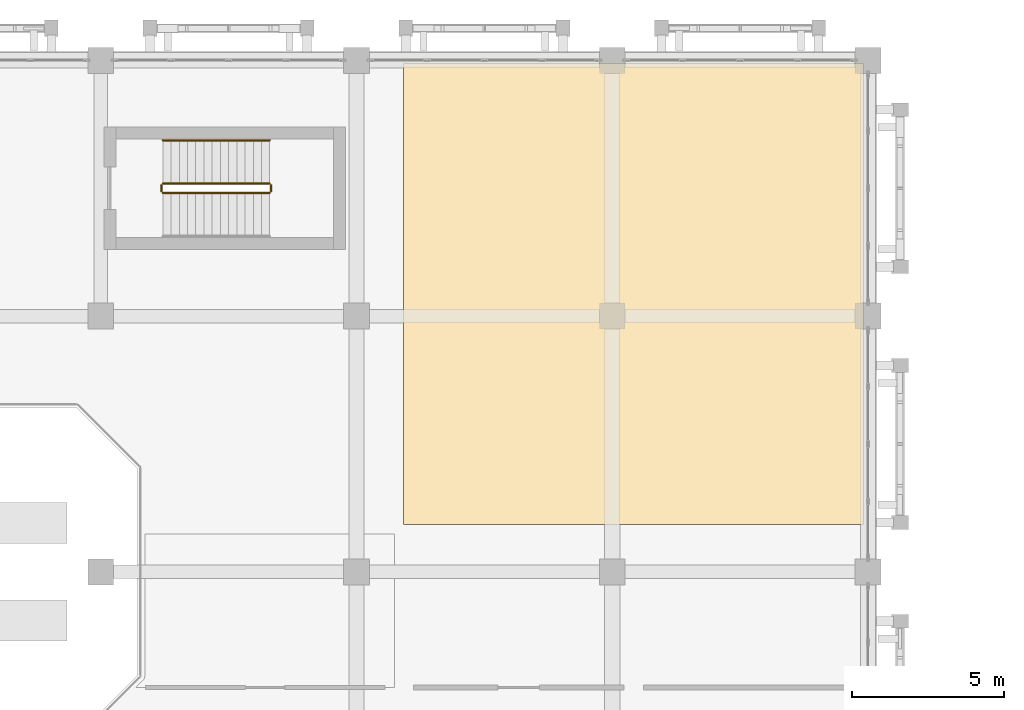
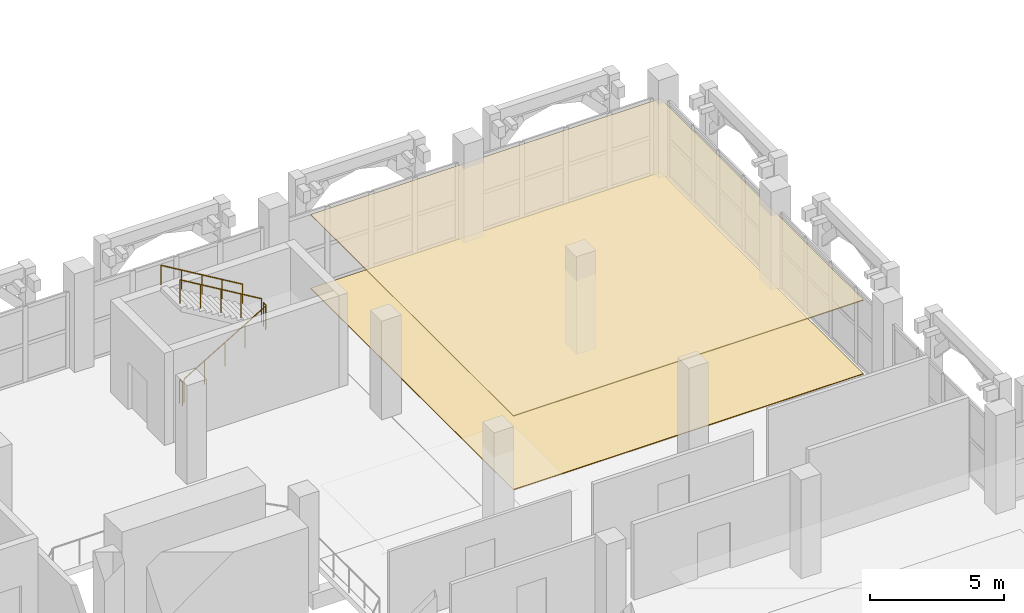
# One storey, part 131 of 137: 5 railings, 2 coverings.
"""IFC4 building model written with IfcOpenShell, lengths in metres."""

import ifcopenshell
import ifcopenshell.guid

model = None  # the IFC model being written
_history = None  # IfcOwnerHistory: only IFC2X3 demands one
_inside = {}  # id of a spatial element -> (the spatial element, [elements in it])
_under = {}  # id of a project, library or spatial element -> (it, [spatial elements below it])
_declared = {}  # id of a project -> (the project, [libraries it declares])
_typed = {}  # id of a type object -> (the type object, [elements of that type])
_made_of = {}  # id of a material, layer set ... -> (it, [elements and type objects made of it])


def new_model(schema):
    """Start an empty IFC model of exactly this schema.

    Asked for "IFC4X3", IfcOpenShell would pick the latest addendum, in which some entities
    have other attributes; the version numbers below select the first issue.
    IFC2X3 requires an IfcOwnerHistory on every rooted entity: one is made here for all.
    """
    global model, _history
    if schema == "IFC4X3":
        model = ifcopenshell.file(schema_version=(4, 3, 0, 0))
    else:
        model = ifcopenshell.file(schema=schema)
    _inside.clear()
    _under.clear()
    _declared.clear()
    _typed.clear()
    _made_of.clear()
    _history = None
    if model.schema == "IFC2X3":
        org = make("IfcOrganization", Name="unknown")
        user = make(
            "IfcPersonAndOrganization",
            ThePerson=make("IfcPerson", FamilyName="unknown"),
            TheOrganization=org,
        )
        app = make(
            "IfcApplication",
            ApplicationDeveloper=org,
            Version="unknown",
            ApplicationFullName="unknown",
            ApplicationIdentifier="unknown",
        )
        _history = make(
            "IfcOwnerHistory",
            OwningUser=user,
            OwningApplication=app,
            ChangeAction="ADDED",
            CreationDate=0,
        )
    return model


def make(cls, **values):
    """One entity of the class cls with the attributes given. An attribute that is None is left unset."""
    return model.create_entity(
        cls, **{name: value for name, value in values.items() if value is not None}
    )


def rooted(cls, **values):
    """An entity with a GlobalId (a new one), such as an element, a storey or a relation."""
    return make(cls, GlobalId=ifcopenshell.guid.new(), OwnerHistory=_history, **values)


def si_unit(unit_type, name, prefix=None):
    """IfcSIUnit, for example si_unit("LENGTHUNIT", "METRE", prefix="MILLI")."""
    return make("IfcSIUnit", UnitType=unit_type, Prefix=prefix, Name=name)


def assignment(units):
    """IfcUnitAssignment: the units of a project."""
    return None if units is None else make("IfcUnitAssignment", Units=units)


def point(xyz):
    """IfcCartesianPoint."""
    return None if xyz is None else make("IfcCartesianPoint", Coordinates=xyz)


def direction(xyz):
    """IfcDirection."""
    return None if xyz is None else make("IfcDirection", DirectionRatios=xyz)


def frame(location, z_axis=None, x_axis=None):
    """IfcAxis2Placement3D, a coordinate frame: its origin and axes. An axis left out is left unset."""
    return make(
        "IfcAxis2Placement3D",
        Location=point(location),
        Axis=direction(z_axis),
        RefDirection=direction(x_axis),
    )


def frame_2d(location, x_axis=None):
    """IfcAxis2Placement2D, a coordinate frame in the plane: its origin and x axis."""
    return make(
        "IfcAxis2Placement2D", Location=point(location), RefDirection=direction(x_axis)
    )


def origin():
    """The frame at (0, 0, 0) with its axes left unset."""
    return frame((0.0, 0.0, 0.0))


def origin_2d():
    """The frame at (0, 0) in the plane with its x axis left unset."""
    return frame_2d((0.0, 0.0))


def place(relative_to, where):
    """IfcLocalPlacement: puts the frame where relative to a parent placement (None: the world)."""
    return make(
        "IfcLocalPlacement", PlacementRelTo=relative_to, RelativePlacement=where
    )


def context(
    kind, dimensions, precision=None, world=None, true_north=None, identifier=None
):
    """IfcGeometricRepresentationContext, for example the 3D "Model" context."""
    return make(
        "IfcGeometricRepresentationContext",
        ContextIdentifier=identifier,
        ContextType=kind,
        CoordinateSpaceDimension=dimensions,
        Precision=precision,
        WorldCoordinateSystem=world,
        TrueNorth=true_north,
    )


def subcontext(parent, identifier, kind, view, scale=None):
    """IfcGeometricRepresentationSubContext, for example "Body" below "Model"."""
    return make(
        "IfcGeometricRepresentationSubContext",
        ContextIdentifier=identifier,
        ContextType=kind,
        ParentContext=parent,
        TargetScale=scale,
        TargetView=view,
    )


def project(units=None, contexts=None):
    """IfcProject with its units and contexts."""
    return rooted(
        "IfcProject",
        Name="project",
        RepresentationContexts=contexts,
        UnitsInContext=assignment(units),
    )


def spatial(cls, under=None, at=None, **own):
    """A site, building, storey or space (cls), placed at a placement, below another one or the project."""
    s = rooted(cls, ObjectPlacement=at, **own)
    if under is not None:
        _under.setdefault(under.id(), (under, []))[1].append(s)
    return s


def polyline(points):
    """IfcPolyline through the points."""
    return make("IfcPolyline", Points=[point(p) for p in points])


def profile(cls, at=None, kind="AREA", **sizes):
    """A parametric profile (cls). Its sizes go by their IFC names, for example OverallWidth=200.0."""
    return make(cls, ProfileType=kind, Position=at, **sizes)


def circle(**sizes):
    """IfcCircleProfileDef."""
    return profile("IfcCircleProfileDef", **sizes)


def outline(outer, holes=None, kind="AREA"):
    """IfcArbitraryClosedProfileDef: a profile drawn as a closed curve; with holes, ...WithVoids."""
    if holes is None:
        return make("IfcArbitraryClosedProfileDef", ProfileType=kind, OuterCurve=outer)
    return make(
        "IfcArbitraryProfileDefWithVoids",
        ProfileType=kind,
        OuterCurve=outer,
        InnerCurves=holes,
    )


def extrude(swept, where, along, depth):
    """IfcExtrudedAreaSolid: the profile swept, set in the frame where, extruded along a direction by depth."""
    return make(
        "IfcExtrudedAreaSolid",
        SweptArea=swept,
        Position=where,
        ExtrudedDirection=direction(along),
        Depth=depth,
    )


def shape(context_of_items, identifier, shape_type, items):
    """IfcShapeRepresentation: the items that make up one representation, for example the "Body"."""
    return make(
        "IfcShapeRepresentation",
        ContextOfItems=context_of_items,
        RepresentationIdentifier=identifier,
        RepresentationType=shape_type,
        Items=items,
    )


def material(Name=None, Category=None):
    """IfcMaterial."""
    return make("IfcMaterial", Name=Name, Category=Category)


def layer(
    of_material, thickness, ventilated=None, Name=None, Category=None, Priority=None
):
    """IfcMaterialLayer: one layer of a wall or slab, of a material (None: an air gap)."""
    return make(
        "IfcMaterialLayer",
        Material=of_material,
        LayerThickness=thickness,
        IsVentilated=ventilated,
        Name=Name,
        Category=Category,
        Priority=Priority,
    )


def layer_set(layers, Name=None):
    """IfcMaterialLayerSet."""
    return make("IfcMaterialLayerSet", MaterialLayers=layers, LayerSetName=Name)


def made_of(thing, what):
    """Note that an element or type object is made of a material, layer set ...; save() writes the relation."""
    if what is not None:
        _made_of.setdefault(what.id(), (what, []))[1].append(thing)
    return thing


def type_object(cls, material=None, **own):
    """A type object (cls), such as IfcWallType, which elements share."""
    return made_of(rooted(cls, **own), material)


def element(
    cls,
    number,
    at=None,
    inside=None,
    cuts=None,
    type_object=None,
    material=None,
    context=None,
    identifier="Body",
    shape_type=None,
    held_by="IfcProductDefinitionShape",
    body=None,
    shapes=None,
    **own,
):
    """One element of the class cls, such as IfcWall. Its Tag is "e" and its number.

    at: its placement. inside: the storey or other place that contains it. cuts: it is an
    opening in that element (IfcRelVoidsElement). A single representation is given by context,
    identifier, shape_type and body (its items); several are given by shapes. held_by: the class
    of the entity that holds the representations. save() writes the other relations.
    """
    e = rooted(cls, Tag="e%d" % number, ObjectPlacement=at, **own)
    if body is not None:
        shapes = [shape(context, identifier, shape_type, body)]
    if shapes is not None:
        e.Representation = make(held_by, Representations=shapes)
    if inside is not None:
        _inside.setdefault(inside.id(), (inside, []))[1].append(e)
    if cuts is not None:
        rooted(
            "IfcRelVoidsElement", RelatingBuildingElement=cuts, RelatedOpeningElement=e
        )
    if type_object is not None:
        _typed.setdefault(type_object.id(), (type_object, []))[1].append(e)
    return made_of(e, material)


def aggregate(whole, parts):
    """IfcRelAggregates: a whole, such as a stair, and the parts it consists of."""
    return rooted("IfcRelAggregates", RelatingObject=whole, RelatedObjects=parts)


def save(model, path):
    """Write the relations noted so far, then the file.

    IfcRelAggregates (storeys below a building ...), IfcRelContainedInSpatialStructure (elements
    in a storey), IfcRelDefinesByType, IfcRelAssociatesMaterial and IfcRelDeclares: one each for
    every whole, place, type object, material and project.
    """
    for whole, parts in _under.values():
        aggregate(whole, parts)
    for where, things in _inside.values():
        rooted(
            "IfcRelContainedInSpatialStructure",
            RelatedElements=things,
            RelatingStructure=where,
        )
    for kind, things in _typed.values():
        rooted("IfcRelDefinesByType", RelatedObjects=things, RelatingType=kind)
    for what, things in _made_of.values():
        rooted("IfcRelAssociatesMaterial", RelatedObjects=things, RelatingMaterial=what)
    for by, libraries in _declared.values():
        rooted("IfcRelDeclares", RelatingContext=by, RelatedDefinitions=libraries)
    model.write(path)


model = new_model("IFC4")

# Units and contexts
model_context = context("Model", 3, precision=1e-05, world=origin(), true_north=direction((0.0, 1.0)))
body_context = subcontext(model_context, "Body", "Model", "MODEL_VIEW")
ifc_project = project(units=[si_unit("LENGTHUNIT", "METRE"), si_unit("AREAUNIT", "SQUARE_METRE"), si_unit("VOLUMEUNIT", "CUBIC_METRE"), si_unit("PLANEANGLEUNIT", "RADIAN"), si_unit("MASSUNIT", "GRAM", prefix="KILO")], contexts=[model_context])

# Site, building, storey
site_placement = place(None, origin())
site = spatial("IfcSite", under=ifc_project, at=site_placement, CompositionType="ELEMENT")
building_placement = place(site_placement, origin())
building = spatial("IfcBuilding", under=site, at=building_placement, Name="Xazarin Passage Department Store", CompositionType="ELEMENT")
storey_placement = place(building_placement, frame((0.0, 0.0, 5.39990234375)))
storey = spatial("IfcBuildingStorey", under=building, at=storey_placement, Name="L01", CompositionType="ELEMENT", Elevation=5.39990234375)

# Coverings
ifc_material_1 = material(Name="Acoustic mineral ceiling")
ifc_layer_1 = layer(ifc_material_1, 0.0400390625)
ifc_layer_set_1 = layer_set([ifc_layer_1], Name="Acoustic mineral ceiling")
covering_type_1 = type_object("IfcCoveringType", Name="ARC-COV-CLG040", PredefinedType="CEILING", material=ifc_layer_set_1)
covering_1_placement = place(storey_placement, frame((0.0, 0.0, 3.360107421875)))
element("IfcCovering", 1, at=covering_1_placement, inside=storey, type_object=covering_type_1, Name="L01 Luxury Leather Showroom Acoustic Ceiling", PredefinedType="CEILING", context=body_context, shape_type="SweptSolid", body=[
    extrude(outline(polyline([(35.14990234375, 94.75), (50.25, 94.75), (50.25, 109.89990234375), (35.14990234375, 109.89990234375), (35.14990234375, 94.75)])), origin(), (0.0, 0.0, 1.0), 0.0400390625),
])
ifc_material_2 = material(Name="Terrazzo stone flooring", Category="masonry")
ifc_layer_2 = layer(ifc_material_2, 0.034912109375)
ifc_layer_set_2 = layer_set([ifc_layer_2], Name="Terrazzo stone flooring")
covering_type_2 = type_object("IfcCoveringType", Name="ARC-COV-FLR035", PredefinedType="FLOORING", material=ifc_layer_set_2)
covering_2_placement = place(storey_placement, origin())
element("IfcCovering", 2, at=covering_2_placement, inside=storey, type_object=covering_type_2, Name="L01 Luxury Leather Showroom Terrazzo Flooring", PredefinedType="FLOORING", context=body_context, shape_type="SweptSolid", body=[
    extrude(outline(polyline([(35.14990234375, 94.75), (50.25, 94.75), (50.25, 109.89990234375), (35.14990234375, 109.89990234375), (35.14990234375, 94.75)])), origin(), (0.0, 0.0, 1.0), 0.03515625),
])

# Railings
ifc_material_3 = material(Name="Steel S355", Category="steel")
railing_type_1 = type_object("IfcRailingType", Name="ARC-RL-GRD112", PredefinedType="GUARDRAIL", material=ifc_material_3)
railing_1_placement = place(storey_placement, frame((27.239990234375, 105.64990234375, 0.160888671875)))
element("IfcRailing", 3, at=railing_1_placement, inside=storey, type_object=railing_type_1, Name="L01 ST2 stair guard 1", PredefinedType="GUARDRAIL", context=body_context, shape_type="SweptSolid", body=[
    extrude(circle(Radius=0.02392578125, at=origin_2d()), frame((0.0, 0.0, 1.076171875), z_axis=(0.859312273368, 0.0, 0.511451284914), x_axis=(0.0, 1.0, 0.0)), (0.0, 0.0, 1.0), 4.084716796875),
    extrude(circle(Radius=0.02099609375, at=origin_2d()), origin(), (0.0, 0.0, 1.0), 1.0517578125),
    extrude(circle(Radius=0.02099609375, at=origin_2d()), frame((0.87744140625, 0.0, 0.522216796875)), (0.0, 0.0, 1.0), 1.0517578125),
    extrude(circle(Radius=0.02099609375, at=origin_2d()), frame((1.7548828125, 0.0, 1.04443359375)), (0.0, 0.0, 1.0), 1.0517578125),
    extrude(circle(Radius=0.02099609375, at=origin_2d()), frame((2.632568359375, 0.0, 1.56689453125)), (0.0, 0.0, 1.0), 1.0517578125),
    extrude(circle(Radius=0.02099609375, at=origin_2d()), frame((3.510009765625, 0.0, 2.089111328125)), (0.0, 0.0, 1.0), 1.0517578125),
])
railing_2_placement = place(storey_placement, frame((30.800048828125, 105.699951171875, 2.25)))
element("IfcRailing", 4, at=railing_2_placement, inside=storey, type_object=railing_type_1, Name="L01 ST2 stair guard 2", PredefinedType="GUARDRAIL", context=body_context, shape_type="SweptSolid", body=[
    extrude(circle(Radius=0.02392578125, at=origin_2d()), frame((0.0, 0.0, 1.076171875), z_axis=(0.0, 1.0, 0.0), x_axis=(-1.0, 0.0, 0.0)), (0.0, 0.0, 1.0), 0.199951171875),
    extrude(circle(Radius=0.02099609375, at=origin_2d()), origin(), (0.0, 0.0, 1.0), 1.0517578125),
    extrude(circle(Radius=0.02099609375, at=origin_2d()), frame((0.0, 0.199951171875, 0.0)), (0.0, 0.0, 1.0), 1.0517578125),
])
railing_3_placement = place(storey_placement, frame((30.75, 105.949951171875, 2.410888671875)))
element("IfcRailing", 5, at=railing_3_placement, inside=storey, type_object=railing_type_1, Name="L01 ST2 stair guard 3", PredefinedType="GUARDRAIL", context=body_context, shape_type="SweptSolid", body=[
    extrude(circle(Radius=0.02392578125, at=origin_2d()), frame((0.0, 0.0, 1.076171875), z_axis=(-0.859312273368, 0.0, 0.511451284914), x_axis=(0.0, -1.0, 0.0)), (0.0, 0.0, 1.0), 4.084716796875),
    extrude(circle(Radius=0.02099609375, at=origin_2d()), origin(), (0.0, 0.0, 1.0), 1.0517578125),
    extrude(circle(Radius=0.02099609375, at=origin_2d()), frame((-0.87744140625, 0.0, 0.522216796875)), (0.0, 0.0, 1.0), 1.0517578125),
    extrude(circle(Radius=0.02099609375, at=origin_2d()), frame((-1.7548828125, 0.0, 1.04443359375)), (0.0, 0.0, 1.0), 1.0517578125),
    extrude(circle(Radius=0.02099609375, at=origin_2d()), frame((-2.632568359375, 0.0, 1.56689453125)), (0.0, 0.0, 1.0), 1.0517578125),
    extrude(circle(Radius=0.02099609375, at=origin_2d()), frame((-3.510009765625, 0.0, 2.089111328125)), (0.0, 0.0, 1.0), 1.0517578125),
])
railing_4_placement = place(storey_placement, frame((27.18994140625, 105.699951171875, 0.0)))
element("IfcRailing", 6, at=railing_4_placement, inside=storey, type_object=railing_type_1, Name="L01 ST2 stair guard 4", PredefinedType="GUARDRAIL", context=body_context, shape_type="SweptSolid", body=[
    extrude(circle(Radius=0.02392578125, at=origin_2d()), frame((0.0, 0.0, 1.076171875), z_axis=(0.0, 1.0, 0.0), x_axis=(-1.0, 0.0, 0.0)), (0.0, 0.0, 1.0), 0.199951171875),
    extrude(circle(Radius=0.02099609375, at=origin_2d()), origin(), (0.0, 0.0, 1.0), 1.0517578125),
    extrude(circle(Radius=0.02099609375, at=origin_2d()), frame((0.0, 0.199951171875, 0.0)), (0.0, 0.0, 1.0), 1.0517578125),
])
railing_type_2 = type_object("IfcRailingType", Name="ARC-RL-HND090", PredefinedType="HANDRAIL", material=ifc_material_3)
railing_5_placement = place(storey_placement, frame((30.75, 107.3701171875, 2.410888671875)))
element("IfcRailing", 7, at=railing_5_placement, inside=storey, type_object=railing_type_2, Name="L01 ST2 stair handrail 2", PredefinedType="HANDRAIL", context=body_context, shape_type="SweptSolid", body=[
    extrude(circle(Radius=0.02392578125, at=origin_2d()), frame((0.0, 0.0, 0.8759765625), z_axis=(-0.859312273368, 0.0, 0.511451284914), x_axis=(0.0, -1.0, 0.0)), (0.0, 0.0, 1.0), 4.084716796875),
    extrude(circle(Radius=0.02099609375, at=origin_2d()), origin(), (0.0, 0.0, 1.0), 0.8515625),
    extrude(circle(Radius=0.02099609375, at=origin_2d()), frame((-0.87744140625, 0.0, 0.522216796875)), (0.0, 0.0, 1.0), 0.8515625),
    extrude(circle(Radius=0.02099609375, at=origin_2d()), frame((-1.7548828125, 0.0, 1.04443359375)), (0.0, 0.0, 1.0), 0.8515625),
    extrude(circle(Radius=0.02099609375, at=origin_2d()), frame((-2.632568359375, 0.0, 1.56689453125)), (0.0, 0.0, 1.0), 0.8515625),
    extrude(circle(Radius=0.02099609375, at=origin_2d()), frame((-3.510009765625, 0.0, 2.089111328125)), (0.0, 0.0, 1.0), 0.8515625),
])

save(model, "model.ifc")
